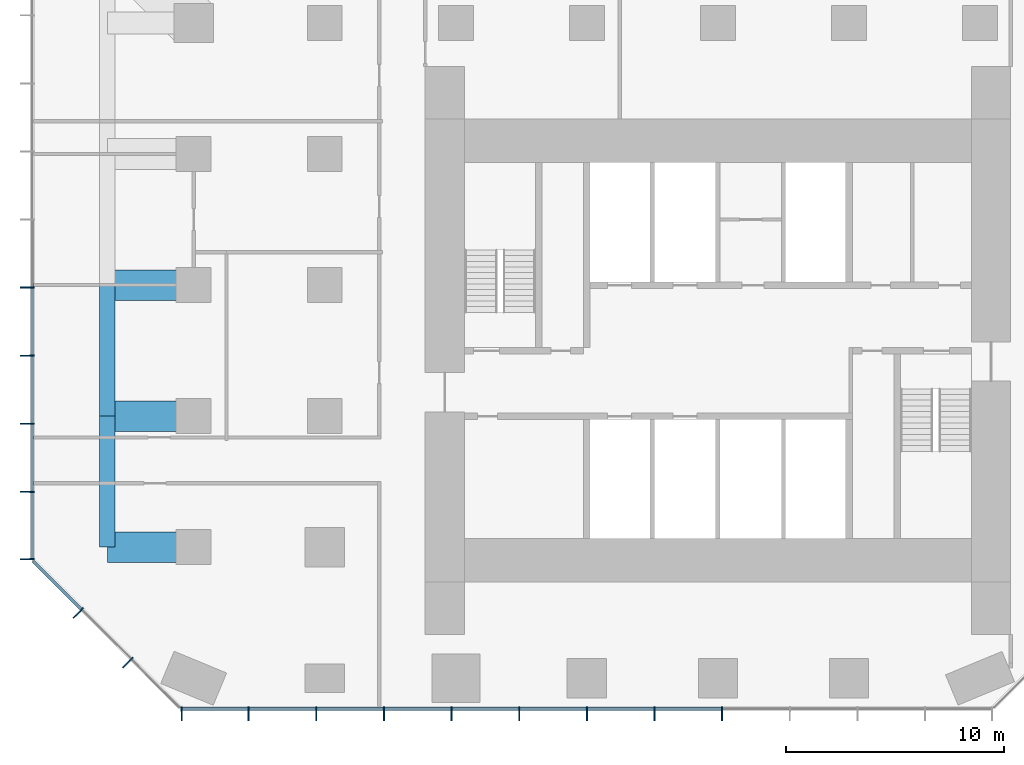
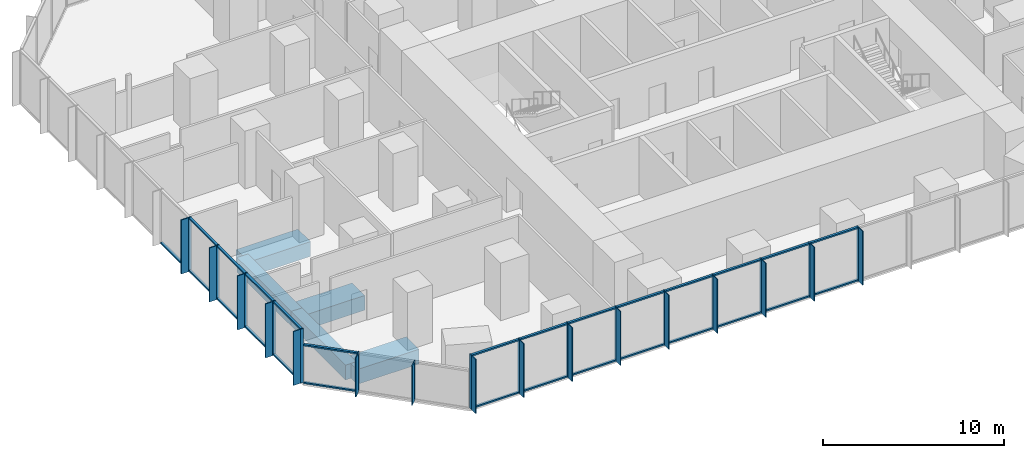
# One storey, part 2 of 11: 59 members, 5 beams, 3 elements without a shape of their own.
"""IFC4 building model written with IfcOpenShell, lengths in metres."""

from ifc_helpers import new_model, si_unit, direction, frame, origin, origin_2d, place, context, subcontext, project, spatial, rectangle, extrude, material, layer, layer_set, material_profile, profile_set, type_object, element, aggregate, save


model = new_model("IFC4")

# Units and contexts
model_context = context("Model", 3, precision=1e-05, world=origin(), true_north=direction((0.0, 1.0)))
body_context = subcontext(model_context, "Body", "Model", "MODEL_VIEW")
ifc_project = project(units=[si_unit("LENGTHUNIT", "METRE"), si_unit("AREAUNIT", "SQUARE_METRE"), si_unit("VOLUMEUNIT", "CUBIC_METRE"), si_unit("PLANEANGLEUNIT", "RADIAN"), si_unit("MASSUNIT", "GRAM", prefix="KILO")], contexts=[model_context])

# Site, building, storey
site_placement = place(None, origin())
site = spatial("IfcSite", under=ifc_project, at=site_placement, CompositionType="ELEMENT")
building_placement = place(site_placement, origin())
building = spatial("IfcBuilding", under=site, at=building_placement, Name="Highveld Stack Headquarters", CompositionType="ELEMENT")
storey_placement = place(building_placement, frame((0.0, 0.0, 113.300048828125)))
storey = spatial("IfcBuildingStorey", under=building, at=storey_placement, Name="L27", CompositionType="ELEMENT", Elevation=113.300048828125)

# Beams
ifc_material_1 = material(Name="Concrete C60/75", Category="concrete")
ifc_material_profile_1 = material_profile(ifc_material_1, rectangle(XDim=1.39990234375, YDim=1.0, at=origin_2d()), Name="RC 1400x1000")
ifc_profile_set_1 = profile_set([ifc_material_profile_1], Name="Concrete C60/75")
beam_type_1 = type_object("IfcBeamType", Name="CANTILEVER RIB RC 1400x1000", PredefinedType="USERDEFINED", material=ifc_profile_set_1)
for number, where, z_axis, x_axis, name in (
    (1, (-18.0, -6.0, -0.75), (-1.0, 0.0, 0.0), (0.0, -1.0, 0.0), "Cantilever rib 3/D L27"),
    (2, (-18.0, 0.0, -0.75), (-1.0, 0.0, 0.0), (0.0, -1.0, 0.0), "Cantilever rib 3/E L27"),
    (3, (-18.0, 6.0, -0.75), (-1.0, 0.0, 0.0), (0.0, -1.0, 0.0), "Cantilever rib 3/F L27"),
):
    element("IfcBeam", number, at=place(storey_placement, frame(where, z_axis=z_axis, x_axis=x_axis)), inside=storey, type_object=beam_type_1, Name=name, ObjectType="CANTILEVER RIB", PredefinedType="USERDEFINED", context=body_context, shape_type="SweptSolid", body=[
        extrude(rectangle(XDim=1.39990234375, YDim=1.0, at=origin_2d()), origin(), (0.0, 0.0, 1.0), 3.949951171875),
    ])

# Curtain wall, members
ifc_material_2 = material(Name="Aluminium bronze anodised", Category="aluminium")
ifc_layer_1 = layer(ifc_material_2, 0.199951171875)
ifc_layer_set_1 = layer_set([ifc_layer_1], Name="Aluminium bronze anodised")
curtain_wall_type_1 = type_object("IfcCurtainWallType", Name="CW1 TOWER UNITISED CURTAIN WALL", PredefinedType="NOTDEFINED", material=ifc_layer_set_1)
curtain_wall_1_placement = place(storey_placement, origin())
curtain_wall_1 = element("IfcCurtainWall", 4, at=curtain_wall_1_placement, inside=storey, type_object=curtain_wall_type_1, Name="Curtain wall CW1 L27 S", PredefinedType="NOTDEFINED")
ifc_material_3 = material(Name="Aluminium bronze anodised", Category="aluminium")
ifc_material_profile_2 = material_profile(ifc_material_3, rectangle(XDim=0.449951171875, YDim=0.06005859375, at=origin_2d()), Name="FIN 450x60")
ifc_profile_set_2 = profile_set([ifc_material_profile_2], Name="Aluminium bronze anodised")
member_type_1 = type_object("IfcMemberType", Name="CW1 BRONZE FIN 450x60", PredefinedType="USERDEFINED", material=ifc_profile_set_2)
member_1_placement = place(storey_placement, frame((-18.54736328125, -13.72509765625, 0.0), z_axis=(0.0, 0.0, 1.0), x_axis=(0.0, 1.0, 0.0)))
member_1 = element("IfcMember", 5, at=member_1_placement, type_object=member_type_1, Name="CW1 fin L27 1", ObjectType="FIN", PredefinedType="USERDEFINED", context=body_context, shape_type="SweptSolid", body=[
    extrude(rectangle(XDim=0.449951171875, YDim=0.06005859375, at=origin_2d()), origin(), (0.0, 0.0, 1.0), 3.64990234375),
])
member_2_placement = place(storey_placement, frame((-15.483154296875, -13.72509765625, 0.0), z_axis=(0.0, 0.0, 1.0), x_axis=(0.0, 1.0, 0.0)))
member_2 = element("IfcMember", 6, at=member_2_placement, type_object=member_type_1, Name="CW1 fin L27 2", ObjectType="FIN", PredefinedType="USERDEFINED", context=body_context, shape_type="SweptSolid", body=[
    extrude(rectangle(XDim=0.449951171875, YDim=0.06005859375, at=origin_2d()), origin(), (0.0, 0.0, 1.0), 3.64990234375),
])
member_3_placement = place(storey_placement, frame((-12.38671875, -13.72509765625, 0.0), z_axis=(0.0, 0.0, 1.0), x_axis=(0.0, 1.0, 0.0)))
member_3 = element("IfcMember", 7, at=member_3_placement, type_object=member_type_1, Name="CW1 fin L27 3", ObjectType="FIN", PredefinedType="USERDEFINED", context=body_context, shape_type="SweptSolid", body=[
    extrude(rectangle(XDim=0.449951171875, YDim=0.06005859375, at=origin_2d()), origin(), (0.0, 0.0, 1.0), 3.64990234375),
])
member_4_placement = place(storey_placement, frame((-9.289794921875, -13.72509765625, 0.0), z_axis=(0.0, 0.0, 1.0), x_axis=(0.0, 1.0, 0.0)))
member_4 = element("IfcMember", 8, at=member_4_placement, type_object=member_type_1, Name="CW1 fin L27 4", ObjectType="FIN", PredefinedType="USERDEFINED", context=body_context, shape_type="SweptSolid", body=[
    extrude(rectangle(XDim=0.449951171875, YDim=0.06005859375, at=origin_2d()), origin(), (0.0, 0.0, 1.0), 3.64990234375),
])
member_5_placement = place(storey_placement, frame((-6.193359375, -13.72509765625, 0.0), z_axis=(0.0, 0.0, 1.0), x_axis=(0.0, 1.0, 0.0)))
member_5 = element("IfcMember", 9, at=member_5_placement, type_object=member_type_1, Name="CW1 fin L27 5", ObjectType="FIN", PredefinedType="USERDEFINED", context=body_context, shape_type="SweptSolid", body=[
    extrude(rectangle(XDim=0.449951171875, YDim=0.06005859375, at=origin_2d()), origin(), (0.0, 0.0, 1.0), 3.64990234375),
])
member_6_placement = place(storey_placement, frame((-3.0966796875, -13.72509765625, 0.0), z_axis=(0.0, 0.0, 1.0), x_axis=(0.0, 1.0, 0.0)))
member_6 = element("IfcMember", 10, at=member_6_placement, type_object=member_type_1, Name="CW1 fin L27 6", ObjectType="FIN", PredefinedType="USERDEFINED", context=body_context, shape_type="SweptSolid", body=[
    extrude(rectangle(XDim=0.449951171875, YDim=0.06005859375, at=origin_2d()), origin(), (0.0, 0.0, 1.0), 3.64990234375),
])
member_7_placement = place(storey_placement, frame((0.0, -13.72509765625, 0.0), z_axis=(0.0, 0.0, 1.0), x_axis=(0.0, 1.0, 0.0)))
member_7 = element("IfcMember", 11, at=member_7_placement, type_object=member_type_1, Name="CW1 fin L27 7", ObjectType="FIN", PredefinedType="USERDEFINED", context=body_context, shape_type="SweptSolid", body=[
    extrude(rectangle(XDim=0.449951171875, YDim=0.06005859375, at=origin_2d()), origin(), (0.0, 0.0, 1.0), 3.64990234375),
])
member_8_placement = place(storey_placement, frame((3.0966796875, -13.72509765625, 0.0), z_axis=(0.0, 0.0, 1.0), x_axis=(0.0, 1.0, 0.0)))
member_8 = element("IfcMember", 12, at=member_8_placement, type_object=member_type_1, Name="CW1 fin L27 8", ObjectType="FIN", PredefinedType="USERDEFINED", context=body_context, shape_type="SweptSolid", body=[
    extrude(rectangle(XDim=0.449951171875, YDim=0.06005859375, at=origin_2d()), origin(), (0.0, 0.0, 1.0), 3.64990234375),
])
member_9_placement = place(storey_placement, frame((6.193359375, -13.72509765625, 0.0), z_axis=(0.0, 0.0, 1.0), x_axis=(0.0, 1.0, 0.0)))
member_9 = element("IfcMember", 13, at=member_9_placement, type_object=member_type_1, Name="CW1 fin L27 9", ObjectType="FIN", PredefinedType="USERDEFINED", context=body_context, shape_type="SweptSolid", body=[
    extrude(rectangle(XDim=0.449951171875, YDim=0.06005859375, at=origin_2d()), origin(), (0.0, 0.0, 1.0), 3.64990234375),
])

curtain_wall_2_placement = place(storey_placement, origin())
curtain_wall_2 = element("IfcCurtainWall", 14, at=curtain_wall_2_placement, inside=storey, type_object=curtain_wall_type_1, Name="Curtain wall CW1 L27 W", PredefinedType="NOTDEFINED")
member_10_placement = place(storey_placement, frame((-25.72509765625, 5.884033203125, 0.0), z_axis=(0.0, 0.0, 1.0), x_axis=(1.0, 0.0, 0.0)))
member_10 = element("IfcMember", 15, at=member_10_placement, type_object=member_type_1, Name="CW1 fin L27 7", ObjectType="FIN", PredefinedType="USERDEFINED", context=body_context, shape_type="SweptSolid", body=[
    extrude(rectangle(XDim=0.449951171875, YDim=0.06005859375, at=origin_2d()), origin(), (0.0, 0.0, 1.0), 3.64990234375),
])
member_11_placement = place(storey_placement, frame((-25.72509765625, 2.76806640625, 0.0), z_axis=(0.0, 0.0, 1.0), x_axis=(1.0, 0.0, 0.0)))
member_11 = element("IfcMember", 16, at=member_11_placement, type_object=member_type_1, Name="CW1 fin L27 8", ObjectType="FIN", PredefinedType="USERDEFINED", context=body_context, shape_type="SweptSolid", body=[
    extrude(rectangle(XDim=0.449951171875, YDim=0.06005859375, at=origin_2d()), origin(), (0.0, 0.0, 1.0), 3.64990234375),
])
member_12_placement = place(storey_placement, frame((-25.72509765625, -0.347900390625, 0.0), z_axis=(0.0, 0.0, 1.0), x_axis=(1.0, 0.0, 0.0)))
member_12 = element("IfcMember", 17, at=member_12_placement, type_object=member_type_1, Name="CW1 fin L27 9", ObjectType="FIN", PredefinedType="USERDEFINED", context=body_context, shape_type="SweptSolid", body=[
    extrude(rectangle(XDim=0.449951171875, YDim=0.06005859375, at=origin_2d()), origin(), (0.0, 0.0, 1.0), 3.64990234375),
])
member_13_placement = place(storey_placement, frame((-25.72509765625, -3.4638671875, 0.0), z_axis=(0.0, 0.0, 1.0), x_axis=(1.0, 0.0, 0.0)))
member_13 = element("IfcMember", 18, at=member_13_placement, type_object=member_type_1, Name="CW1 fin L27 10", ObjectType="FIN", PredefinedType="USERDEFINED", context=body_context, shape_type="SweptSolid", body=[
    extrude(rectangle(XDim=0.449951171875, YDim=0.06005859375, at=origin_2d()), origin(), (0.0, 0.0, 1.0), 3.64990234375),
])
member_14_placement = place(storey_placement, frame((-25.72509765625, -6.54736328125, 0.0), z_axis=(0.0, 0.0, 1.0), x_axis=(1.0, 0.0, 0.0)))
member_14 = element("IfcMember", 19, at=member_14_placement, type_object=member_type_1, Name="CW1 fin L27 11", ObjectType="FIN", PredefinedType="USERDEFINED", context=body_context, shape_type="SweptSolid", body=[
    extrude(rectangle(XDim=0.449951171875, YDim=0.06005859375, at=origin_2d()), origin(), (0.0, 0.0, 1.0), 3.64990234375),
])

# Member
ifc_material_4 = material(Name="Aluminium bronze anodised", Category="aluminium")
ifc_material_profile_3 = material_profile(ifc_material_4, rectangle(XDim=0.199951171875, YDim=0.06494140625, at=origin_2d()), Name="CW1 MULLION 65x200")
ifc_profile_set_3 = profile_set([ifc_material_profile_3], Name="Aluminium bronze anodised")
member_type_2 = type_object("IfcMemberType", Name="CW1 MULLION 65x200", PredefinedType="MULLION", material=ifc_profile_set_3)
member_15_placement = place(storey_placement, frame((-18.54736328125, -13.39990234375, 0.0), z_axis=(0.0, 0.0, 1.0), x_axis=(0.0, 1.0, 0.0)))
member_15 = element("IfcMember", 20, at=member_15_placement, type_object=member_type_2, Name="CW1 mullion L27 1", PredefinedType="MULLION", context=body_context, shape_type="SweptSolid", body=[
    extrude(rectangle(XDim=0.199951171875, YDim=0.06494140625, at=origin_2d()), origin(), (0.0, 0.0, 1.0), 3.64990234375),
])

member_16_placement = place(storey_placement, frame((-15.483154296875, -13.39990234375, 0.0), z_axis=(0.0, 0.0, 1.0), x_axis=(0.0, 1.0, 0.0)))
member_16 = element("IfcMember", 21, at=member_16_placement, type_object=member_type_2, Name="CW1 mullion L27 2", PredefinedType="MULLION", context=body_context, shape_type="SweptSolid", body=[
    extrude(rectangle(XDim=0.199951171875, YDim=0.06494140625, at=origin_2d()), origin(), (0.0, 0.0, 1.0), 3.64990234375),
])

member_17_placement = place(storey_placement, frame((-12.38671875, -13.39990234375, 0.0), z_axis=(0.0, 0.0, 1.0), x_axis=(0.0, 1.0, 0.0)))
member_17 = element("IfcMember", 22, at=member_17_placement, type_object=member_type_2, Name="CW1 mullion L27 3", PredefinedType="MULLION", context=body_context, shape_type="SweptSolid", body=[
    extrude(rectangle(XDim=0.199951171875, YDim=0.06494140625, at=origin_2d()), origin(), (0.0, 0.0, 1.0), 3.64990234375),
])

member_18_placement = place(storey_placement, frame((-9.289794921875, -13.39990234375, 0.0), z_axis=(0.0, 0.0, 1.0), x_axis=(0.0, 1.0, 0.0)))
member_18 = element("IfcMember", 23, at=member_18_placement, type_object=member_type_2, Name="CW1 mullion L27 4", PredefinedType="MULLION", context=body_context, shape_type="SweptSolid", body=[
    extrude(rectangle(XDim=0.199951171875, YDim=0.06494140625, at=origin_2d()), origin(), (0.0, 0.0, 1.0), 3.64990234375),
])

member_19_placement = place(storey_placement, frame((-6.193359375, -13.39990234375, 0.0), z_axis=(0.0, 0.0, 1.0), x_axis=(0.0, 1.0, 0.0)))
member_19 = element("IfcMember", 24, at=member_19_placement, type_object=member_type_2, Name="CW1 mullion L27 5", PredefinedType="MULLION", context=body_context, shape_type="SweptSolid", body=[
    extrude(rectangle(XDim=0.199951171875, YDim=0.06494140625, at=origin_2d()), origin(), (0.0, 0.0, 1.0), 3.64990234375),
])

member_20_placement = place(storey_placement, frame((-3.0966796875, -13.39990234375, 0.0), z_axis=(0.0, 0.0, 1.0), x_axis=(0.0, 1.0, 0.0)))
member_20 = element("IfcMember", 25, at=member_20_placement, type_object=member_type_2, Name="CW1 mullion L27 6", PredefinedType="MULLION", context=body_context, shape_type="SweptSolid", body=[
    extrude(rectangle(XDim=0.199951171875, YDim=0.06494140625, at=origin_2d()), origin(), (0.0, 0.0, 1.0), 3.64990234375),
])

member_21_placement = place(storey_placement, frame((0.0, -13.39990234375, 0.0), z_axis=(0.0, 0.0, 1.0), x_axis=(0.0, 1.0, 0.0)))
member_21 = element("IfcMember", 26, at=member_21_placement, type_object=member_type_2, Name="CW1 mullion L27 7", PredefinedType="MULLION", context=body_context, shape_type="SweptSolid", body=[
    extrude(rectangle(XDim=0.199951171875, YDim=0.06494140625, at=origin_2d()), origin(), (0.0, 0.0, 1.0), 3.64990234375),
])

member_22_placement = place(storey_placement, frame((3.0966796875, -13.39990234375, 0.0), z_axis=(0.0, 0.0, 1.0), x_axis=(0.0, 1.0, 0.0)))
member_22 = element("IfcMember", 27, at=member_22_placement, type_object=member_type_2, Name="CW1 mullion L27 8", PredefinedType="MULLION", context=body_context, shape_type="SweptSolid", body=[
    extrude(rectangle(XDim=0.199951171875, YDim=0.06494140625, at=origin_2d()), origin(), (0.0, 0.0, 1.0), 3.64990234375),
])

member_23_placement = place(storey_placement, frame((6.193359375, -13.39990234375, 0.0), z_axis=(0.0, 0.0, 1.0), x_axis=(0.0, 1.0, 0.0)))
member_23 = element("IfcMember", 28, at=member_23_placement, type_object=member_type_2, Name="CW1 mullion L27 9", PredefinedType="MULLION", context=body_context, shape_type="SweptSolid", body=[
    extrude(rectangle(XDim=0.199951171875, YDim=0.06494140625, at=origin_2d()), origin(), (0.0, 0.0, 1.0), 3.64990234375),
])

member_24_placement = place(storey_placement, frame((-25.39990234375, 5.884033203125, 0.0), z_axis=(0.0, 0.0, 1.0), x_axis=(1.0, 0.0, 0.0)))
member_24 = element("IfcMember", 29, at=member_24_placement, type_object=member_type_2, Name="CW1 mullion L27 7", PredefinedType="MULLION", context=body_context, shape_type="SweptSolid", body=[
    extrude(rectangle(XDim=0.199951171875, YDim=0.06494140625, at=origin_2d()), origin(), (0.0, 0.0, 1.0), 3.64990234375),
])

member_25_placement = place(storey_placement, frame((-25.39990234375, 2.76806640625, 0.0), z_axis=(0.0, 0.0, 1.0), x_axis=(1.0, 0.0, 0.0)))
member_25 = element("IfcMember", 30, at=member_25_placement, type_object=member_type_2, Name="CW1 mullion L27 8", PredefinedType="MULLION", context=body_context, shape_type="SweptSolid", body=[
    extrude(rectangle(XDim=0.199951171875, YDim=0.06494140625, at=origin_2d()), origin(), (0.0, 0.0, 1.0), 3.64990234375),
])

member_26_placement = place(storey_placement, frame((-25.39990234375, -0.347900390625, 0.0), z_axis=(0.0, 0.0, 1.0), x_axis=(1.0, 0.0, 0.0)))
member_26 = element("IfcMember", 31, at=member_26_placement, type_object=member_type_2, Name="CW1 mullion L27 9", PredefinedType="MULLION", context=body_context, shape_type="SweptSolid", body=[
    extrude(rectangle(XDim=0.199951171875, YDim=0.06494140625, at=origin_2d()), origin(), (0.0, 0.0, 1.0), 3.64990234375),
])

member_27_placement = place(storey_placement, frame((-25.39990234375, -3.4638671875, 0.0), z_axis=(0.0, 0.0, 1.0), x_axis=(1.0, 0.0, 0.0)))
member_27 = element("IfcMember", 32, at=member_27_placement, type_object=member_type_2, Name="CW1 mullion L27 10", PredefinedType="MULLION", context=body_context, shape_type="SweptSolid", body=[
    extrude(rectangle(XDim=0.199951171875, YDim=0.06494140625, at=origin_2d()), origin(), (0.0, 0.0, 1.0), 3.64990234375),
])

member_28_placement = place(storey_placement, frame((-25.39990234375, -6.54736328125, 0.0), z_axis=(0.0, 0.0, 1.0), x_axis=(1.0, 0.0, 0.0)))
member_28 = element("IfcMember", 33, at=member_28_placement, type_object=member_type_2, Name="CW1 mullion L27 11", PredefinedType="MULLION", context=body_context, shape_type="SweptSolid", body=[
    extrude(rectangle(XDim=0.199951171875, YDim=0.06494140625, at=origin_2d()), origin(), (0.0, 0.0, 1.0), 3.64990234375),
])

ifc_material_5 = material(Name="Aluminium bronze anodised", Category="aluminium")
ifc_material_profile_4 = material_profile(ifc_material_5, rectangle(XDim=0.14990234375, YDim=0.10009765625, at=origin_2d()), Name="CW1 TRANSOM 150x100")
ifc_profile_set_4 = profile_set([ifc_material_profile_4], Name="Aluminium bronze anodised")
member_type_3 = type_object("IfcMemberType", Name="CW1 STACK TRANSOM 150x100", PredefinedType="USERDEFINED", material=ifc_profile_set_4)
member_29_placement = place(storey_placement, frame((-18.514892578125, -13.39990234375, 0.050048828125), z_axis=(1.0, 0.0, 0.0), x_axis=(0.0, 1.0, 0.0)))
member_29 = element("IfcMember", 34, at=member_29_placement, type_object=member_type_3, Name="CW1 transom L27 1.1", ObjectType="TRANSOM", PredefinedType="USERDEFINED", context=body_context, shape_type="SweptSolid", body=[
    extrude(rectangle(XDim=0.14990234375, YDim=0.10009765625, at=origin_2d()), origin(), (0.0, 0.0, 1.0), 2.999267578125),
])

member_30_placement = place(storey_placement, frame((-18.514892578125, -13.39990234375, 3.599853515625), z_axis=(1.0, 0.0, 0.0), x_axis=(0.0, 1.0, 0.0)))
member_30 = element("IfcMember", 35, at=member_30_placement, type_object=member_type_3, Name="CW1 transom L27 1.2", ObjectType="TRANSOM", PredefinedType="USERDEFINED", context=body_context, shape_type="SweptSolid", body=[
    extrude(rectangle(XDim=0.14990234375, YDim=0.10009765625, at=origin_2d()), origin(), (0.0, 0.0, 1.0), 2.999267578125),
])

member_31_placement = place(storey_placement, frame((-15.45068359375, -13.39990234375, 0.050048828125), z_axis=(1.0, 0.0, 0.0), x_axis=(0.0, 1.0, 0.0)))
member_31 = element("IfcMember", 36, at=member_31_placement, type_object=member_type_3, Name="CW1 transom L27 2.1", ObjectType="TRANSOM", PredefinedType="USERDEFINED", context=body_context, shape_type="SweptSolid", body=[
    extrude(rectangle(XDim=0.14990234375, YDim=0.10009765625, at=origin_2d()), origin(), (0.0, 0.0, 1.0), 3.031494140625),
])

member_32_placement = place(storey_placement, frame((-15.45068359375, -13.39990234375, 3.599853515625), z_axis=(1.0, 0.0, 0.0), x_axis=(0.0, 1.0, 0.0)))
member_32 = element("IfcMember", 37, at=member_32_placement, type_object=member_type_3, Name="CW1 transom L27 2.2", ObjectType="TRANSOM", PredefinedType="USERDEFINED", context=body_context, shape_type="SweptSolid", body=[
    extrude(rectangle(XDim=0.14990234375, YDim=0.10009765625, at=origin_2d()), origin(), (0.0, 0.0, 1.0), 3.031494140625),
])

member_33_placement = place(storey_placement, frame((-12.35400390625, -13.39990234375, 0.050048828125), z_axis=(1.0, 0.0, 0.0), x_axis=(0.0, 1.0, 0.0)))
member_33 = element("IfcMember", 38, at=member_33_placement, type_object=member_type_3, Name="CW1 transom L27 3.1", ObjectType="TRANSOM", PredefinedType="USERDEFINED", context=body_context, shape_type="SweptSolid", body=[
    extrude(rectangle(XDim=0.14990234375, YDim=0.10009765625, at=origin_2d()), origin(), (0.0, 0.0, 1.0), 3.031494140625),
])

member_34_placement = place(storey_placement, frame((-12.35400390625, -13.39990234375, 3.599853515625), z_axis=(1.0, 0.0, 0.0), x_axis=(0.0, 1.0, 0.0)))
member_34 = element("IfcMember", 39, at=member_34_placement, type_object=member_type_3, Name="CW1 transom L27 3.2", ObjectType="TRANSOM", PredefinedType="USERDEFINED", context=body_context, shape_type="SweptSolid", body=[
    extrude(rectangle(XDim=0.14990234375, YDim=0.10009765625, at=origin_2d()), origin(), (0.0, 0.0, 1.0), 3.031494140625),
])

member_35_placement = place(storey_placement, frame((-9.25732421875, -13.39990234375, 0.050048828125), z_axis=(1.0, 0.0, 0.0), x_axis=(0.0, 1.0, 0.0)))
member_35 = element("IfcMember", 40, at=member_35_placement, type_object=member_type_3, Name="CW1 transom L27 4.1", ObjectType="TRANSOM", PredefinedType="USERDEFINED", context=body_context, shape_type="SweptSolid", body=[
    extrude(rectangle(XDim=0.14990234375, YDim=0.10009765625, at=origin_2d()), origin(), (0.0, 0.0, 1.0), 3.031494140625),
])

member_36_placement = place(storey_placement, frame((-9.25732421875, -13.39990234375, 3.599853515625), z_axis=(1.0, 0.0, 0.0), x_axis=(0.0, 1.0, 0.0)))
member_36 = element("IfcMember", 41, at=member_36_placement, type_object=member_type_3, Name="CW1 transom L27 4.2", ObjectType="TRANSOM", PredefinedType="USERDEFINED", context=body_context, shape_type="SweptSolid", body=[
    extrude(rectangle(XDim=0.14990234375, YDim=0.10009765625, at=origin_2d()), origin(), (0.0, 0.0, 1.0), 3.031494140625),
])

member_37_placement = place(storey_placement, frame((-6.160888671875, -13.39990234375, 0.050048828125), z_axis=(1.0, 0.0, 0.0), x_axis=(0.0, 1.0, 0.0)))
member_37 = element("IfcMember", 42, at=member_37_placement, type_object=member_type_3, Name="CW1 transom L27 5.1", ObjectType="TRANSOM", PredefinedType="USERDEFINED", context=body_context, shape_type="SweptSolid", body=[
    extrude(rectangle(XDim=0.14990234375, YDim=0.10009765625, at=origin_2d()), origin(), (0.0, 0.0, 1.0), 3.03173828125),
])

member_38_placement = place(storey_placement, frame((-6.160888671875, -13.39990234375, 3.599853515625), z_axis=(1.0, 0.0, 0.0), x_axis=(0.0, 1.0, 0.0)))
member_38 = element("IfcMember", 43, at=member_38_placement, type_object=member_type_3, Name="CW1 transom L27 5.2", ObjectType="TRANSOM", PredefinedType="USERDEFINED", context=body_context, shape_type="SweptSolid", body=[
    extrude(rectangle(XDim=0.14990234375, YDim=0.10009765625, at=origin_2d()), origin(), (0.0, 0.0, 1.0), 3.03173828125),
])

member_39_placement = place(storey_placement, frame((-3.064208984375, -13.39990234375, 0.050048828125), z_axis=(1.0, 0.0, 0.0), x_axis=(0.0, 1.0, 0.0)))
member_39 = element("IfcMember", 44, at=member_39_placement, type_object=member_type_3, Name="CW1 transom L27 6.1", ObjectType="TRANSOM", PredefinedType="USERDEFINED", context=body_context, shape_type="SweptSolid", body=[
    extrude(rectangle(XDim=0.14990234375, YDim=0.10009765625, at=origin_2d()), origin(), (0.0, 0.0, 1.0), 3.03173828125),
])

member_40_placement = place(storey_placement, frame((-3.064208984375, -13.39990234375, 3.599853515625), z_axis=(1.0, 0.0, 0.0), x_axis=(0.0, 1.0, 0.0)))
member_40 = element("IfcMember", 45, at=member_40_placement, type_object=member_type_3, Name="CW1 transom L27 6.2", ObjectType="TRANSOM", PredefinedType="USERDEFINED", context=body_context, shape_type="SweptSolid", body=[
    extrude(rectangle(XDim=0.14990234375, YDim=0.10009765625, at=origin_2d()), origin(), (0.0, 0.0, 1.0), 3.03173828125),
])

member_41_placement = place(storey_placement, frame((0.032470703125, -13.39990234375, 0.050048828125), z_axis=(1.0, 0.0, 0.0), x_axis=(0.0, 1.0, 0.0)))
member_41 = element("IfcMember", 46, at=member_41_placement, type_object=member_type_3, Name="CW1 transom L27 7.1", ObjectType="TRANSOM", PredefinedType="USERDEFINED", context=body_context, shape_type="SweptSolid", body=[
    extrude(rectangle(XDim=0.14990234375, YDim=0.10009765625, at=origin_2d()), origin(), (0.0, 0.0, 1.0), 3.03173828125),
])

member_42_placement = place(storey_placement, frame((0.032470703125, -13.39990234375, 3.599853515625), z_axis=(1.0, 0.0, 0.0), x_axis=(0.0, 1.0, 0.0)))
member_42 = element("IfcMember", 47, at=member_42_placement, type_object=member_type_3, Name="CW1 transom L27 7.2", ObjectType="TRANSOM", PredefinedType="USERDEFINED", context=body_context, shape_type="SweptSolid", body=[
    extrude(rectangle(XDim=0.14990234375, YDim=0.10009765625, at=origin_2d()), origin(), (0.0, 0.0, 1.0), 3.03173828125),
])

member_43_placement = place(storey_placement, frame((3.129150390625, -13.39990234375, 0.050048828125), z_axis=(1.0, 0.0, 0.0), x_axis=(0.0, 1.0, 0.0)))
member_43 = element("IfcMember", 48, at=member_43_placement, type_object=member_type_3, Name="CW1 transom L27 8.1", ObjectType="TRANSOM", PredefinedType="USERDEFINED", context=body_context, shape_type="SweptSolid", body=[
    extrude(rectangle(XDim=0.14990234375, YDim=0.10009765625, at=origin_2d()), origin(), (0.0, 0.0, 1.0), 3.03173828125),
])

member_44_placement = place(storey_placement, frame((3.129150390625, -13.39990234375, 3.599853515625), z_axis=(1.0, 0.0, 0.0), x_axis=(0.0, 1.0, 0.0)))
member_44 = element("IfcMember", 49, at=member_44_placement, type_object=member_type_3, Name="CW1 transom L27 8.2", ObjectType="TRANSOM", PredefinedType="USERDEFINED", context=body_context, shape_type="SweptSolid", body=[
    extrude(rectangle(XDim=0.14990234375, YDim=0.10009765625, at=origin_2d()), origin(), (0.0, 0.0, 1.0), 3.03173828125),
])

aggregate(curtain_wall_1, [member_15, member_1, member_16, member_2, member_17, member_3, member_18, member_4, member_19, member_5, member_20, member_6, member_21, member_7, member_22, member_8, member_23, member_9, member_29, member_30, member_31, member_32, member_33, member_34, member_35, member_36, member_37, member_38, member_39, member_40, member_41, member_42, member_43, member_44])

member_45_placement = place(storey_placement, frame((-25.39990234375, 8.967529296875, 0.050048828125), z_axis=(0.0, -1.0, 0.0), x_axis=(1.0, 0.0, 0.0)))
member_45 = element("IfcMember", 50, at=member_45_placement, type_object=member_type_3, Name="CW1 transom L27 6.1", ObjectType="TRANSOM", PredefinedType="USERDEFINED", context=body_context, shape_type="SweptSolid", body=[
    extrude(rectangle(XDim=0.14990234375, YDim=0.10009765625, at=origin_2d()), origin(), (0.0, 0.0, 1.0), 3.051025390625),
])

member_46_placement = place(storey_placement, frame((-25.39990234375, 5.8515625, 0.050048828125), z_axis=(0.0, -1.0, 0.0), x_axis=(1.0, 0.0, 0.0)))
member_46 = element("IfcMember", 51, at=member_46_placement, type_object=member_type_3, Name="CW1 transom L27 7.1", ObjectType="TRANSOM", PredefinedType="USERDEFINED", context=body_context, shape_type="SweptSolid", body=[
    extrude(rectangle(XDim=0.14990234375, YDim=0.10009765625, at=origin_2d()), origin(), (0.0, 0.0, 1.0), 3.051025390625),
])

member_47_placement = place(storey_placement, frame((-25.39990234375, 5.8515625, 3.599853515625), z_axis=(0.0, -1.0, 0.0), x_axis=(1.0, 0.0, 0.0)))
member_47 = element("IfcMember", 52, at=member_47_placement, type_object=member_type_3, Name="CW1 transom L27 7.2", ObjectType="TRANSOM", PredefinedType="USERDEFINED", context=body_context, shape_type="SweptSolid", body=[
    extrude(rectangle(XDim=0.14990234375, YDim=0.10009765625, at=origin_2d()), origin(), (0.0, 0.0, 1.0), 3.051025390625),
])

member_48_placement = place(storey_placement, frame((-25.39990234375, 2.735595703125, 0.050048828125), z_axis=(0.0, -1.0, 0.0), x_axis=(1.0, 0.0, 0.0)))
member_48 = element("IfcMember", 53, at=member_48_placement, type_object=member_type_3, Name="CW1 transom L27 8.1", ObjectType="TRANSOM", PredefinedType="USERDEFINED", context=body_context, shape_type="SweptSolid", body=[
    extrude(rectangle(XDim=0.14990234375, YDim=0.10009765625, at=origin_2d()), origin(), (0.0, 0.0, 1.0), 3.051025390625),
])

member_49_placement = place(storey_placement, frame((-25.39990234375, 2.735595703125, 3.599853515625), z_axis=(0.0, -1.0, 0.0), x_axis=(1.0, 0.0, 0.0)))
member_49 = element("IfcMember", 54, at=member_49_placement, type_object=member_type_3, Name="CW1 transom L27 8.2", ObjectType="TRANSOM", PredefinedType="USERDEFINED", context=body_context, shape_type="SweptSolid", body=[
    extrude(rectangle(XDim=0.14990234375, YDim=0.10009765625, at=origin_2d()), origin(), (0.0, 0.0, 1.0), 3.051025390625),
])

member_50_placement = place(storey_placement, frame((-25.39990234375, -0.38037109375, 0.050048828125), z_axis=(0.0, -1.0, 0.0), x_axis=(1.0, 0.0, 0.0)))
member_50 = element("IfcMember", 55, at=member_50_placement, type_object=member_type_3, Name="CW1 transom L27 9.1", ObjectType="TRANSOM", PredefinedType="USERDEFINED", context=body_context, shape_type="SweptSolid", body=[
    extrude(rectangle(XDim=0.14990234375, YDim=0.10009765625, at=origin_2d()), origin(), (0.0, 0.0, 1.0), 3.051025390625),
])

member_51_placement = place(storey_placement, frame((-25.39990234375, -0.38037109375, 3.599853515625), z_axis=(0.0, -1.0, 0.0), x_axis=(1.0, 0.0, 0.0)))
member_51 = element("IfcMember", 56, at=member_51_placement, type_object=member_type_3, Name="CW1 transom L27 9.2", ObjectType="TRANSOM", PredefinedType="USERDEFINED", context=body_context, shape_type="SweptSolid", body=[
    extrude(rectangle(XDim=0.14990234375, YDim=0.10009765625, at=origin_2d()), origin(), (0.0, 0.0, 1.0), 3.051025390625),
])

member_52_placement = place(storey_placement, frame((-25.39990234375, -3.496337890625, 0.050048828125), z_axis=(0.0, -1.0, 0.0), x_axis=(1.0, 0.0, 0.0)))
member_52 = element("IfcMember", 57, at=member_52_placement, type_object=member_type_3, Name="CW1 transom L27 10.1", ObjectType="TRANSOM", PredefinedType="USERDEFINED", context=body_context, shape_type="SweptSolid", body=[
    extrude(rectangle(XDim=0.14990234375, YDim=0.10009765625, at=origin_2d()), origin(), (0.0, 0.0, 1.0), 3.0185546875),
])

member_53_placement = place(storey_placement, frame((-25.39990234375, -3.496337890625, 3.599853515625), z_axis=(0.0, -1.0, 0.0), x_axis=(1.0, 0.0, 0.0)))
member_53 = element("IfcMember", 58, at=member_53_placement, type_object=member_type_3, Name="CW1 transom L27 10.2", ObjectType="TRANSOM", PredefinedType="USERDEFINED", context=body_context, shape_type="SweptSolid", body=[
    extrude(rectangle(XDim=0.14990234375, YDim=0.10009765625, at=origin_2d()), origin(), (0.0, 0.0, 1.0), 3.0185546875),
])

aggregate(curtain_wall_2, [member_24, member_10, member_25, member_11, member_26, member_12, member_27, member_13, member_28, member_14, member_45, member_46, member_47, member_48, member_49, member_50, member_51, member_52, member_53])

# Curtain wall, members
ifc_material_6 = material(Name="Aluminium bronze anodised", Category="aluminium")
ifc_layer_2 = layer(ifc_material_6, 0.199951171875)
ifc_layer_set_2 = layer_set([ifc_layer_2], Name="Aluminium bronze anodised")
curtain_wall_type_2 = type_object("IfcCurtainWallType", Name="CW2 TOWER CHAMFER UNITISED CURTAIN WALL", PredefinedType="NOTDEFINED", material=ifc_layer_set_2)
curtain_wall_3_placement = place(storey_placement, origin())
curtain_wall_3 = element("IfcCurtainWall", 59, at=curtain_wall_3_placement, inside=storey, type_object=curtain_wall_type_2, Name="Curtain wall CW2 L27 SW", PredefinedType="NOTDEFINED")
ifc_material_7 = material(Name="Aluminium bronze anodised", Category="aluminium")
ifc_material_profile_5 = material_profile(ifc_material_7, rectangle(XDim=0.449951171875, YDim=0.06005859375, at=origin_2d()), Name="FIN 450x60")
ifc_profile_set_5 = profile_set([ifc_material_profile_5], Name="Aluminium bronze anodised")
member_type_4 = type_object("IfcMemberType", Name="CW2 BRONZE FIN 450x60", PredefinedType="USERDEFINED", material=ifc_profile_set_5)
member_54_placement = place(storey_placement, frame((-23.3564453125, -9.0830078125, 0.0), z_axis=(0.0, 0.0, 1.0), x_axis=(0.707106781187, 0.707106781187, 0.0)))
member_54 = element("IfcMember", 60, at=member_54_placement, type_object=member_type_4, Name="CW2 fin L27 1", ObjectType="FIN", PredefinedType="USERDEFINED", context=body_context, shape_type="SweptSolid", body=[
    extrude(rectangle(XDim=0.449951171875, YDim=0.06005859375, at=origin_2d()), origin(), (0.0, 0.0, 1.0), 2.64990234375),
])
member_55_placement = place(storey_placement, frame((-21.0830078125, -11.3564453125, 0.0), z_axis=(0.0, 0.0, 1.0), x_axis=(0.707106781187, 0.707106781187, 0.0)))
member_55 = element("IfcMember", 61, at=member_55_placement, type_object=member_type_4, Name="CW2 fin L27 2", ObjectType="FIN", PredefinedType="USERDEFINED", context=body_context, shape_type="SweptSolid", body=[
    extrude(rectangle(XDim=0.449951171875, YDim=0.06005859375, at=origin_2d()), origin(), (0.0, 0.0, 1.0), 2.64990234375),
])
ifc_material_8 = material(Name="Aluminium bronze anodised", Category="aluminium")
ifc_material_profile_6 = material_profile(ifc_material_8, rectangle(XDim=0.199951171875, YDim=0.06494140625, at=origin_2d()), Name="CW2 MULLION 65x200")
ifc_profile_set_6 = profile_set([ifc_material_profile_6], Name="Aluminium bronze anodised")
member_type_5 = type_object("IfcMemberType", Name="CW2 MULLION 65x200", PredefinedType="MULLION", material=ifc_profile_set_6)
member_56_placement = place(storey_placement, frame((-23.126708984375, -8.853271484375, 0.0), z_axis=(0.0, 0.0, 1.0), x_axis=(0.707106781187, 0.707106781187, 0.0)))
member_56 = element("IfcMember", 62, at=member_56_placement, type_object=member_type_5, Name="CW2 mullion L27 1", PredefinedType="MULLION", context=body_context, shape_type="SweptSolid", body=[
    extrude(rectangle(XDim=0.199951171875, YDim=0.06494140625, at=origin_2d()), origin(), (0.0, 0.0, 1.0), 2.64990234375),
])
member_57_placement = place(storey_placement, frame((-20.853271484375, -11.126708984375, 0.0), z_axis=(0.0, 0.0, 1.0), x_axis=(0.707106781187, 0.707106781187, 0.0)))
member_57 = element("IfcMember", 63, at=member_57_placement, type_object=member_type_5, Name="CW2 mullion L27 2", PredefinedType="MULLION", context=body_context, shape_type="SweptSolid", body=[
    extrude(rectangle(XDim=0.199951171875, YDim=0.06494140625, at=origin_2d()), origin(), (0.0, 0.0, 1.0), 2.64990234375),
])
ifc_material_9 = material(Name="Aluminium bronze anodised", Category="aluminium")
ifc_material_profile_7 = material_profile(ifc_material_9, rectangle(XDim=0.14990234375, YDim=0.10009765625, at=origin_2d()), Name="CW2 TRANSOM 150x100")
ifc_profile_set_7 = profile_set([ifc_material_profile_7], Name="Aluminium bronze anodised")
member_type_6 = type_object("IfcMemberType", Name="CW2 STACK TRANSOM 150x100", PredefinedType="USERDEFINED", material=ifc_profile_set_7)
member_58_placement = place(storey_placement, frame((-25.329345703125, -6.650634765625, 0.050048828125), z_axis=(0.707106781187, -0.707106781187, 0.0), x_axis=(0.707106781187, 0.707106781187, 0.0)))
member_58 = element("IfcMember", 64, at=member_58_placement, type_object=member_type_6, Name="CW2 transom L27 1.1", ObjectType="TRANSOM", PredefinedType="USERDEFINED", context=body_context, shape_type="SweptSolid", body=[
    extrude(rectangle(XDim=0.14990234375, YDim=0.10009765625, at=origin_2d()), origin(), (0.0, 0.0, 1.0), 3.08251953125),
])
member_59_placement = place(storey_placement, frame((-25.329345703125, -6.650634765625, 2.599853515625), z_axis=(0.707106781187, -0.707106781187, 0.0), x_axis=(0.707106781187, 0.707106781187, 0.0)))
member_59 = element("IfcMember", 65, at=member_59_placement, type_object=member_type_6, Name="CW2 transom L27 1.2", ObjectType="TRANSOM", PredefinedType="USERDEFINED", context=body_context, shape_type="SweptSolid", body=[
    extrude(rectangle(XDim=0.14990234375, YDim=0.10009765625, at=origin_2d()), origin(), (0.0, 0.0, 1.0), 3.08251953125),
])
aggregate(curtain_wall_3, [member_56, member_54, member_57, member_55, member_58, member_59])

# Beams
ifc_material_10 = material(Name="Concrete C60/75", Category="concrete")
ifc_material_profile_8 = material_profile(ifc_material_10, rectangle(XDim=0.699951171875, YDim=1.0, at=origin_2d()), Name="RC 700x1000")
ifc_profile_set_8 = profile_set([ifc_material_profile_8], Name="Concrete C60/75")
beam_type_2 = type_object("IfcBeamType", Name="RIB TIP BEAM RC 700x1000", PredefinedType="SPANDREL", material=ifc_profile_set_8)
for number, where, z_axis, x_axis, name in (
    (66, (-21.949951171875, -6.0, -0.75), (0.0, 1.0, 0.0), (-1.0, 0.0, 0.0), "Rib tip beam 3/D to 3/E L27"),
    (67, (-21.949951171875, 0.0, -0.75), (0.0, 1.0, 0.0), (-1.0, 0.0, 0.0), "Rib tip beam 3/E to 3/F L27"),
):
    element("IfcBeam", number, at=place(storey_placement, frame(where, z_axis=z_axis, x_axis=x_axis)), inside=storey, type_object=beam_type_2, Name=name, PredefinedType="SPANDREL", context=body_context, shape_type="SweptSolid", body=[
        extrude(rectangle(XDim=0.699951171875, YDim=1.0, at=origin_2d()), origin(), (0.0, 0.0, 1.0), 6.0),
    ])

save(model, "model.ifc")
